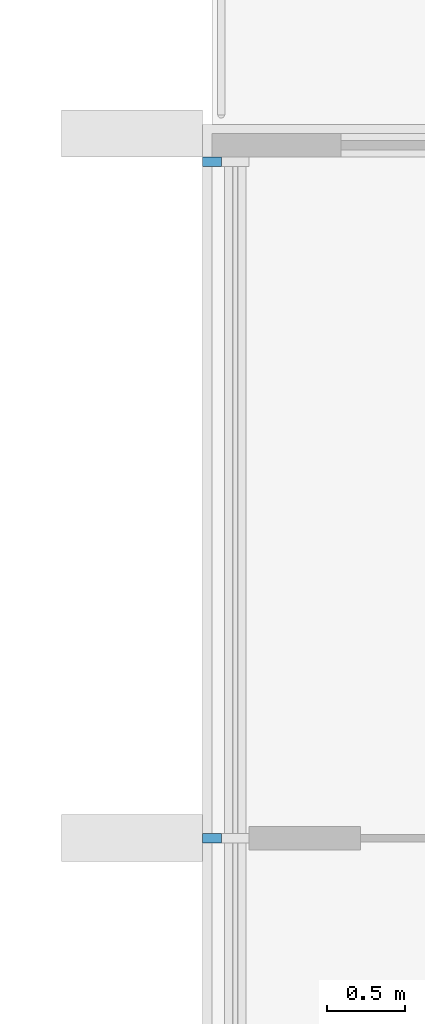
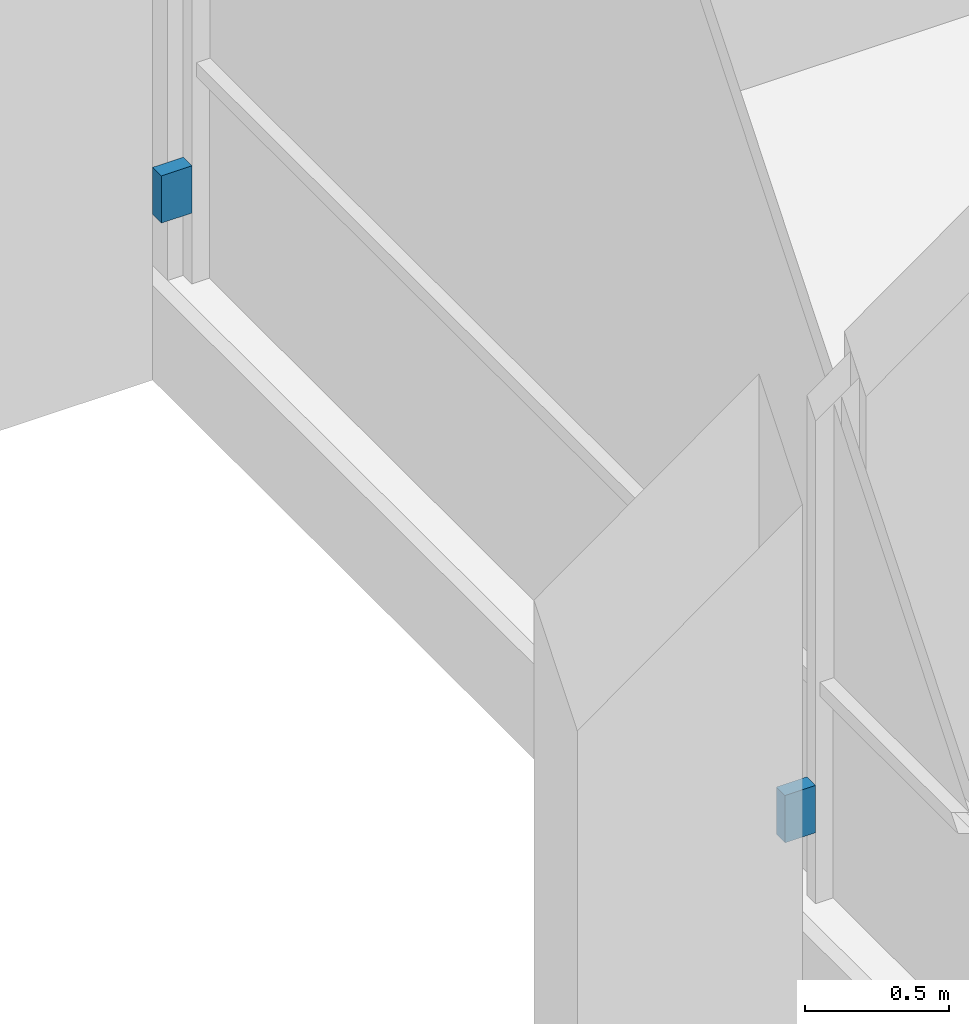
# One storey, part 14 of 17: 2 discrete accessories.
"""IFC4 building model written with IfcOpenShell, lengths in metres."""

import ifcopenshell
import ifcopenshell.guid

model = None  # the IFC model being written
_history = None  # IfcOwnerHistory: only IFC2X3 demands one
_inside = {}  # id of a spatial element -> (the spatial element, [elements in it])
_under = {}  # id of a project, library or spatial element -> (it, [spatial elements below it])
_declared = {}  # id of a project -> (the project, [libraries it declares])
_typed = {}  # id of a type object -> (the type object, [elements of that type])
_made_of = {}  # id of a material, layer set ... -> (it, [elements and type objects made of it])


def new_model(schema):
    """Start an empty IFC model of exactly this schema.

    Asked for "IFC4X3", IfcOpenShell would pick the latest addendum, in which some entities
    have other attributes; the version numbers below select the first issue.
    IFC2X3 requires an IfcOwnerHistory on every rooted entity: one is made here for all.
    """
    global model, _history
    if schema == "IFC4X3":
        model = ifcopenshell.file(schema_version=(4, 3, 0, 0))
    else:
        model = ifcopenshell.file(schema=schema)
    _inside.clear()
    _under.clear()
    _declared.clear()
    _typed.clear()
    _made_of.clear()
    _history = None
    if model.schema == "IFC2X3":
        org = make("IfcOrganization", Name="unknown")
        user = make(
            "IfcPersonAndOrganization",
            ThePerson=make("IfcPerson", FamilyName="unknown"),
            TheOrganization=org,
        )
        app = make(
            "IfcApplication",
            ApplicationDeveloper=org,
            Version="unknown",
            ApplicationFullName="unknown",
            ApplicationIdentifier="unknown",
        )
        _history = make(
            "IfcOwnerHistory",
            OwningUser=user,
            OwningApplication=app,
            ChangeAction="ADDED",
            CreationDate=0,
        )
    return model


def make(cls, **values):
    """One entity of the class cls with the attributes given. An attribute that is None is left unset."""
    return model.create_entity(
        cls, **{name: value for name, value in values.items() if value is not None}
    )


def rooted(cls, **values):
    """An entity with a GlobalId (a new one), such as an element, a storey or a relation."""
    return make(cls, GlobalId=ifcopenshell.guid.new(), OwnerHistory=_history, **values)


def si_unit(unit_type, name, prefix=None):
    """IfcSIUnit, for example si_unit("LENGTHUNIT", "METRE", prefix="MILLI")."""
    return make("IfcSIUnit", UnitType=unit_type, Prefix=prefix, Name=name)


def assignment(units):
    """IfcUnitAssignment: the units of a project."""
    return None if units is None else make("IfcUnitAssignment", Units=units)


def point(xyz):
    """IfcCartesianPoint."""
    return None if xyz is None else make("IfcCartesianPoint", Coordinates=xyz)


def direction(xyz):
    """IfcDirection."""
    return None if xyz is None else make("IfcDirection", DirectionRatios=xyz)


def frame(location, z_axis=None, x_axis=None):
    """IfcAxis2Placement3D, a coordinate frame: its origin and axes. An axis left out is left unset."""
    return make(
        "IfcAxis2Placement3D",
        Location=point(location),
        Axis=direction(z_axis),
        RefDirection=direction(x_axis),
    )


def frame_2d(location, x_axis=None):
    """IfcAxis2Placement2D, a coordinate frame in the plane: its origin and x axis."""
    return make(
        "IfcAxis2Placement2D", Location=point(location), RefDirection=direction(x_axis)
    )


def origin():
    """The frame at (0, 0, 0) with its axes left unset."""
    return frame((0.0, 0.0, 0.0))


def origin_2d():
    """The frame at (0, 0) in the plane with its x axis left unset."""
    return frame_2d((0.0, 0.0))


def place(relative_to, where):
    """IfcLocalPlacement: puts the frame where relative to a parent placement (None: the world)."""
    return make(
        "IfcLocalPlacement", PlacementRelTo=relative_to, RelativePlacement=where
    )


def context(
    kind, dimensions, precision=None, world=None, true_north=None, identifier=None
):
    """IfcGeometricRepresentationContext, for example the 3D "Model" context."""
    return make(
        "IfcGeometricRepresentationContext",
        ContextIdentifier=identifier,
        ContextType=kind,
        CoordinateSpaceDimension=dimensions,
        Precision=precision,
        WorldCoordinateSystem=world,
        TrueNorth=true_north,
    )


def subcontext(parent, identifier, kind, view, scale=None):
    """IfcGeometricRepresentationSubContext, for example "Body" below "Model"."""
    return make(
        "IfcGeometricRepresentationSubContext",
        ContextIdentifier=identifier,
        ContextType=kind,
        ParentContext=parent,
        TargetScale=scale,
        TargetView=view,
    )


def project(units=None, contexts=None):
    """IfcProject with its units and contexts."""
    return rooted(
        "IfcProject",
        Name="project",
        RepresentationContexts=contexts,
        UnitsInContext=assignment(units),
    )


def spatial(cls, under=None, at=None, **own):
    """A site, building, storey or space (cls), placed at a placement, below another one or the project."""
    s = rooted(cls, ObjectPlacement=at, **own)
    if under is not None:
        _under.setdefault(under.id(), (under, []))[1].append(s)
    return s


def profile(cls, at=None, kind="AREA", **sizes):
    """A parametric profile (cls). Its sizes go by their IFC names, for example OverallWidth=200.0."""
    return make(cls, ProfileType=kind, Position=at, **sizes)


def rectangle(**sizes):
    """IfcRectangleProfileDef."""
    return profile("IfcRectangleProfileDef", **sizes)


def extrude(swept, where, along, depth):
    """IfcExtrudedAreaSolid: the profile swept, set in the frame where, extruded along a direction by depth."""
    return make(
        "IfcExtrudedAreaSolid",
        SweptArea=swept,
        Position=where,
        ExtrudedDirection=direction(along),
        Depth=depth,
    )


def shape(context_of_items, identifier, shape_type, items):
    """IfcShapeRepresentation: the items that make up one representation, for example the "Body"."""
    return make(
        "IfcShapeRepresentation",
        ContextOfItems=context_of_items,
        RepresentationIdentifier=identifier,
        RepresentationType=shape_type,
        Items=items,
    )


def material(Name=None, Category=None):
    """IfcMaterial."""
    return make("IfcMaterial", Name=Name, Category=Category)


def made_of(thing, what):
    """Note that an element or type object is made of a material, layer set ...; save() writes the relation."""
    if what is not None:
        _made_of.setdefault(what.id(), (what, []))[1].append(thing)
    return thing


def type_object(cls, material=None, **own):
    """A type object (cls), such as IfcWallType, which elements share."""
    return made_of(rooted(cls, **own), material)


def element(
    cls,
    number,
    at=None,
    inside=None,
    cuts=None,
    type_object=None,
    material=None,
    context=None,
    identifier="Body",
    shape_type=None,
    held_by="IfcProductDefinitionShape",
    body=None,
    shapes=None,
    **own,
):
    """One element of the class cls, such as IfcWall. Its Tag is "e" and its number.

    at: its placement. inside: the storey or other place that contains it. cuts: it is an
    opening in that element (IfcRelVoidsElement). A single representation is given by context,
    identifier, shape_type and body (its items); several are given by shapes. held_by: the class
    of the entity that holds the representations. save() writes the other relations.
    """
    e = rooted(cls, Tag="e%d" % number, ObjectPlacement=at, **own)
    if body is not None:
        shapes = [shape(context, identifier, shape_type, body)]
    if shapes is not None:
        e.Representation = make(held_by, Representations=shapes)
    if inside is not None:
        _inside.setdefault(inside.id(), (inside, []))[1].append(e)
    if cuts is not None:
        rooted(
            "IfcRelVoidsElement", RelatingBuildingElement=cuts, RelatedOpeningElement=e
        )
    if type_object is not None:
        _typed.setdefault(type_object.id(), (type_object, []))[1].append(e)
    return made_of(e, material)


def aggregate(whole, parts):
    """IfcRelAggregates: a whole, such as a stair, and the parts it consists of."""
    return rooted("IfcRelAggregates", RelatingObject=whole, RelatedObjects=parts)


def save(model, path):
    """Write the relations noted so far, then the file.

    IfcRelAggregates (storeys below a building ...), IfcRelContainedInSpatialStructure (elements
    in a storey), IfcRelDefinesByType, IfcRelAssociatesMaterial and IfcRelDeclares: one each for
    every whole, place, type object, material and project.
    """
    for whole, parts in _under.values():
        aggregate(whole, parts)
    for where, things in _inside.values():
        rooted(
            "IfcRelContainedInSpatialStructure",
            RelatedElements=things,
            RelatingStructure=where,
        )
    for kind, things in _typed.values():
        rooted("IfcRelDefinesByType", RelatedObjects=things, RelatingType=kind)
    for what, things in _made_of.values():
        rooted("IfcRelAssociatesMaterial", RelatedObjects=things, RelatingMaterial=what)
    for by, libraries in _declared.values():
        rooted("IfcRelDeclares", RelatingContext=by, RelatedDefinitions=libraries)
    model.write(path)


model = new_model("IFC4")

# Units and contexts
model_context = context("Model", 3, precision=1e-05, world=origin(), true_north=direction((0.0, 1.0)))
body_context = subcontext(model_context, "Body", "Model", "MODEL_VIEW")
ifc_project = project(units=[si_unit("LENGTHUNIT", "METRE"), si_unit("AREAUNIT", "SQUARE_METRE"), si_unit("VOLUMEUNIT", "CUBIC_METRE"), si_unit("PLANEANGLEUNIT", "RADIAN"), si_unit("MASSUNIT", "GRAM", prefix="KILO")], contexts=[model_context])

# Site, building, storey
site_placement = place(None, origin())
site = spatial("IfcSite", under=ifc_project, at=site_placement, CompositionType="ELEMENT")
building_placement = place(site_placement, origin())
building = spatial("IfcBuilding", under=site, at=building_placement, Name="Finial Court Residences", CompositionType="ELEMENT")
storey_placement = place(building_placement, frame((0.0, 0.0, 205.10009765625)))
storey = spatial("IfcBuildingStorey", under=building, at=storey_placement, Name="L51", CompositionType="ELEMENT", Elevation=205.10009765625)

# Discrete accessories
ifc_material = material(Name="Stainless steel 316", Category="steel")
discrete_accessory_type = type_object("IfcDiscreteAccessoryType", Name="Fin bracket, stainless steel 60 x 122 x 200", PredefinedType="BRACKET", material=ifc_material)
for number, where, z_axis, x_axis, name in (
    (1, (-19.498779296875, 7.5, 0.2998046875), (0.0, 0.0, 1.0), (1.0, 0.0, 0.0), "E-L51-FIN-W25-BRK"),
    (2, (-19.498779296875, 11.820068359375, 0.2998046875), (0.0, 0.0, 1.0), (1.0, 0.0, 0.0), "E-L51-FIN-W26-BRK"),
):
    element("IfcDiscreteAccessory", number, at=place(storey_placement, frame(where, z_axis=z_axis, x_axis=x_axis)), inside=storey, type_object=discrete_accessory_type, Name=name, PredefinedType="BRACKET", context=body_context, shape_type="SweptSolid", body=[
        extrude(rectangle(XDim=0.12255859375, YDim=0.06005859375, at=origin_2d()), origin(), (0.0, 0.0, 1.0), 0.199951171875),
    ])

save(model, "model.ifc")
